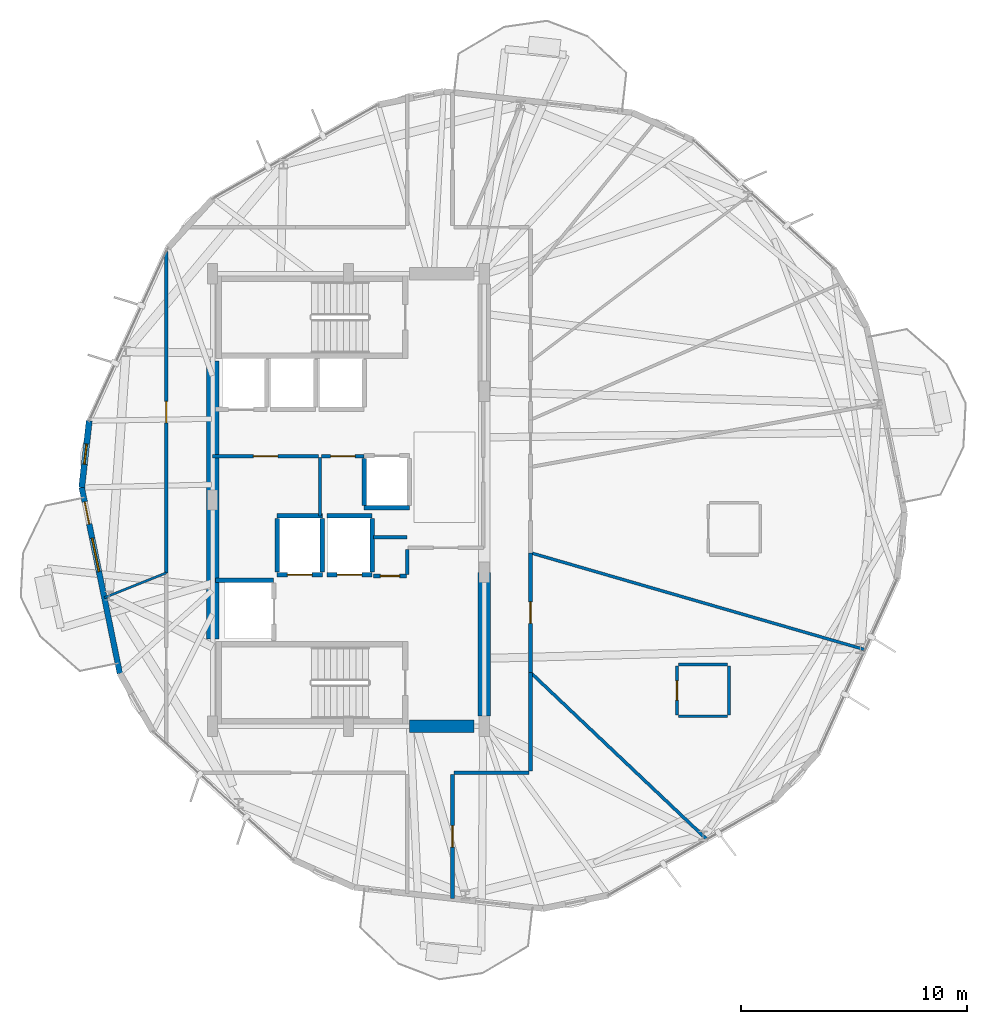
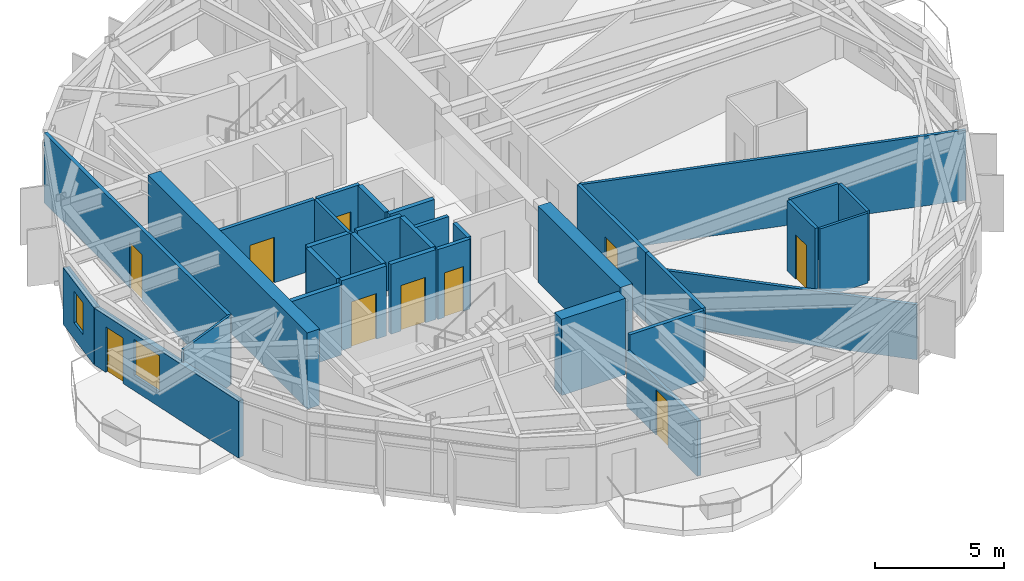
# One storey, part 17 of 22: 33 walls, 10 doors, 2 windows, 12 openings.
"""IFC4 building model written with IfcOpenShell, lengths in metres."""

from ifc_helpers import new_model, si_unit, direction, frame, frame_2d, origin, place, context, subcontext, project, spatial, rectangle, extrude, material, layer, layer_set, type_object, element, fill, save


model = new_model("IFC4")

# Units and contexts
model_context = context("Model", 3, precision=1e-05, world=origin(), true_north=direction((0.0, 1.0)))
body_context = subcontext(model_context, "Body", "Model", "MODEL_VIEW")
ifc_project = project(units=[si_unit("LENGTHUNIT", "METRE"), si_unit("AREAUNIT", "SQUARE_METRE"), si_unit("VOLUMEUNIT", "CUBIC_METRE"), si_unit("PLANEANGLEUNIT", "RADIAN"), si_unit("MASSUNIT", "GRAM", prefix="KILO")], contexts=[model_context])

# Site, building, storey
site_placement = place(None, origin())
site = spatial("IfcSite", under=ifc_project, at=site_placement, CompositionType="ELEMENT")
building_placement = place(site_placement, origin())
building = spatial("IfcBuilding", under=site, at=building_placement, Name="Soratama Intermodal Tower", CompositionType="ELEMENT")
storey_placement = place(building_placement, frame((0.0, 0.0, 142.60009765625)))
storey = spatial("IfcBuildingStorey", under=building, at=storey_placement, Name="L34", CompositionType="ELEMENT", Elevation=142.60009765625)

# Wall, openings, door, window
ifc_material_1 = material(Name="Concrete f'c 42 MPa", Category="concrete")
ifc_layer_1 = layer(ifc_material_1, 0.25)
ifc_layer_set_1 = layer_set([ifc_layer_1], Name="Concrete f'c 42 MPa")
wall_type_1 = type_object("IfcWallType", Name="EW-BAL-250", PredefinedType="SOLIDWALL", material=ifc_layer_set_1)
wall_1_placement = place(storey_placement, frame((26.818115234375, 25.55322265625, 0.0), z_axis=(0.0, 0.0, 1.0), x_axis=(0.200734189033, -0.979645744825, 0.0)))
wall_1 = element("IfcWall", 1, at=wall_1_placement, inside=storey, type_object=wall_type_1, Name="L34 Terrace Wall F05", PredefinedType="SOLIDWALL", context=body_context, shape_type="SweptSolid", body=[
    extrude(rectangle(XDim=8.383544921875, YDim=0.25, at=frame_2d((4.19189453125, 0.0))), origin(), (0.0, 0.0, 1.0), 2.678955078125),
])
opening_1_placement = place(wall_1_placement, frame((0.64990234375, 0.0, 0.0)))
opening_1 = element("IfcOpeningElement", 2, at=opening_1_placement, cuts=wall_1, Name="Opening ED-2", PredefinedType="OPENING", context=body_context, shape_type="SweptSolid", body=[
    extrude(rectangle(XDim=1.0, YDim=2.14990234375, at=frame_2d((0.5, 1.074951171875))), frame((0.0, 0.135009765625, 0.0), z_axis=(0.0, -1.0, 0.0), x_axis=(1.0, 0.0, 0.0)), (0.0, 0.0, 1.0), 0.27001953125),
])
opening_2_placement = place(wall_1_placement, frame((2.2900390625, 0.0, 0.719970703125)))
opening_2 = element("IfcOpeningElement", 3, at=opening_2_placement, cuts=wall_1, Name="Opening WN-1", PredefinedType="OPENING", context=body_context, shape_type="SweptSolid", body=[
    extrude(rectangle(XDim=1.5, YDim=1.699951171875, at=frame_2d((0.75, 0.85009765625))), frame((0.0, 0.135009765625, 0.0), z_axis=(0.0, -1.0, 0.0), x_axis=(1.0, 0.0, 0.0)), (0.0, 0.0, 1.0), 0.27001953125),
])
ifc_material_2 = material(Name="Double-glazed aluminium door", Category="aluminium")
door_type_1 = type_object("IfcDoorType", Name="DR-BAL-1000", OperationType="NOTDEFINED", PredefinedType="DOOR", material=ifc_material_2)
door_1_placement = place(opening_1_placement, origin())
door_1 = element("IfcDoor", 4, at=door_1_placement, inside=storey, type_object=door_type_1, Name="L34 Balcony Door F05", OperationType="SINGLE_SWING_LEFT", OverallHeight=2.14990234375, OverallWidth=1.0, PredefinedType="DOOR", context=body_context, shape_type="SweptSolid", body=[
    extrude(rectangle(XDim=1.0, YDim=2.14990234375, at=frame_2d((0.5, 1.074951171875))), frame((0.0, 0.02490234375, 0.0), z_axis=(0.0, -1.0, 0.0), x_axis=(1.0, 0.0, 0.0)), (0.0, 0.0, 1.0), 0.050048828125),
])
fill(opening_1, door_1)
ifc_material_3 = material(Name="Double-glazed aluminium window", Category="aluminium")
window_type_1 = type_object("IfcWindowType", Name="WN-FAC-1500", PartitioningType="SINGLE_PANEL", PredefinedType="WINDOW", material=ifc_material_3)
window_1_placement = place(opening_2_placement, origin())
window_1 = element("IfcWindow", 5, at=window_1_placement, inside=storey, type_object=window_type_1, Name="L34 Window B F05", OverallHeight=1.699951171875, OverallWidth=1.5, PartitioningType="SINGLE_PANEL", PredefinedType="WINDOW", context=body_context, shape_type="SweptSolid", body=[
    extrude(rectangle(XDim=1.5, YDim=1.699951171875, at=frame_2d((0.75, 0.85009765625))), frame((0.0, 0.030029296875, 0.0), z_axis=(0.0, -1.0, 0.0), x_axis=(1.0, 0.0, 0.0)), (0.0, 0.0, 1.0), 0.06005859375),
])
fill(opening_2, window_1)

# Wall, opening, window
ifc_material_4 = material(Name="Concrete f'c 42 MPa", Category="concrete")
ifc_layer_2 = layer(ifc_material_4, 0.27001953125)
ifc_layer_set_2 = layer_set([ifc_layer_2], Name="Concrete f'c 42 MPa")
wall_type_2 = type_object("IfcWallType", Name="EW-CRN-270", PredefinedType="SOLIDWALL", material=ifc_layer_set_2)
wall_2_placement = place(storey_placement, frame((27.14990234375, 28.501220703125, 0.0), z_axis=(0.0, 0.0, 1.0), x_axis=(-0.111840485986, -0.993726172391, 0.0)))
wall_2 = element("IfcWall", 6, at=wall_2_placement, inside=storey, type_object=wall_type_2, Name="L34 Corner Closure Wall 04", PredefinedType="SOLIDWALL", context=body_context, shape_type="SweptSolid", body=[
    extrude(rectangle(XDim=2.966552734375, YDim=0.27001953125, at=frame_2d((1.4833984375, 0.0))), origin(), (0.0, 0.0, 1.0), 2.678955078125),
])
opening_3_placement = place(wall_2_placement, frame((1.033203125, 0.0, 0.75)))
opening_3 = element("IfcOpeningElement", 7, at=opening_3_placement, cuts=wall_2, Name="Opening WN-6", PredefinedType="OPENING", context=body_context, shape_type="SweptSolid", body=[
    extrude(rectangle(XDim=0.89990234375, YDim=1.5, at=frame_2d((0.449951171875, 0.75))), frame((0.0, 0.14501953125, 0.0), z_axis=(0.0, -1.0, 0.0), x_axis=(1.0, 0.0, 0.0)), (0.0, 0.0, 1.0), 0.2900390625),
])
ifc_material_5 = material(Name="Double-glazed aluminium window", Category="aluminium")
window_type_2 = type_object("IfcWindowType", Name="WN-FAC-900", PartitioningType="SINGLE_PANEL", PredefinedType="WINDOW", material=ifc_material_5)
window_2_placement = place(opening_3_placement, origin())
window_2 = element("IfcWindow", 8, at=window_2_placement, inside=storey, type_object=window_type_2, Name="L34 Corner Window 04", OverallHeight=1.5, OverallWidth=0.89990234375, PartitioningType="SINGLE_PANEL", PredefinedType="WINDOW", context=body_context, shape_type="SweptSolid", body=[
    extrude(rectangle(XDim=0.89990234375, YDim=1.5, at=frame_2d((0.449951171875, 0.75))), frame((0.0, 0.030029296875, 0.0), z_axis=(0.0, -1.0, 0.0), x_axis=(1.0, 0.0, 0.0)), (0.0, 0.0, 1.0), 0.06005859375),
])
fill(opening_3, window_2)

# Wall, opening, door
ifc_material_6 = material(Name="Fire-rated gypsum stud partition", Category="concrete")
ifc_layer_3 = layer(ifc_material_6, 0.159912109375)
ifc_layer_set_3 = layer_set([ifc_layer_3], Name="Fire-rated gypsum stud partition")
wall_type_3 = type_object("IfcWallType", Name="IW-PART-R160", PredefinedType="PARTITIONING", material=ifc_layer_set_3)
wall_3_placement = place(storey_placement, frame((30.550048828125, 21.778076171875, 0.0), z_axis=(0.0, 0.0, 1.0), x_axis=(0.0, 1.0, 0.0)))
wall_3 = element("IfcWall", 9, at=wall_3_placement, inside=storey, type_object=wall_type_3, Name="L34 Partition W-L34-TP004", PredefinedType="PARTITIONING", context=body_context, shape_type="SweptSolid", body=[
    extrude(rectangle(XDim=14.2119140625, YDim=0.159912109375, at=frame_2d((7.10595703125, 0.0))), origin(), (0.0, 0.0, 1.0), 3.2998046875),
])
opening_4_placement = place(wall_3_placement, frame((6.631103515625, 0.0, 0.0)))
opening_4 = element("IfcOpeningElement", 10, at=opening_4_placement, cuts=wall_3, Name="Opening ID-3", PredefinedType="OPENING", context=body_context, shape_type="SweptSolid", body=[
    extrude(rectangle(XDim=0.949951171875, YDim=2.14990234375, at=frame_2d((0.47509765625, 1.074951171875))), frame((0.0, 0.08984375, 0.0), z_axis=(0.0, -1.0, 0.0), x_axis=(1.0, 0.0, 0.0)), (0.0, 0.0, 1.0), 0.179931640625),
])
ifc_material_7 = material(Name="Solid hardwood acoustic door", Category="wood")
door_type_2 = type_object("IfcDoorType", Name="DR-ROOM-950", OperationType="NOTDEFINED", PredefinedType="DOOR", material=ifc_material_7)
door_2_placement = place(opening_4_placement, origin())
door_2 = element("IfcDoor", 11, at=door_2_placement, inside=storey, type_object=door_type_2, Name="L34 Door D-L34-TP001", OperationType="SINGLE_SWING_RIGHT", OverallHeight=2.14990234375, OverallWidth=0.949951171875, PredefinedType="DOOR", context=body_context, shape_type="SweptSolid", body=[
    extrude(rectangle(XDim=0.949951171875, YDim=2.14990234375, at=frame_2d((0.47509765625, 1.074951171875))), frame((0.0, 0.02490234375, 0.0), z_axis=(0.0, -1.0, 0.0), x_axis=(1.0, 0.0, 0.0)), (0.0, 0.0, 1.0), 0.050048828125),
])
fill(opening_4, door_2)

wall_4_placement = place(storey_placement, frame((43.199951171875, 12.8798828125, 0.0), z_axis=(0.0, 0.0, 1.0), x_axis=(0.0, -1.0, 0.0)))
wall_4 = element("IfcWall", 12, at=wall_4_placement, inside=storey, type_object=wall_type_3, Name="L34 Partition W-L34-TP014", PredefinedType="PARTITIONING", context=body_context, shape_type="SweptSolid", body=[
    extrude(rectangle(XDim=5.489990234375, YDim=0.159912109375, at=frame_2d((2.7451171875, 0.0))), origin(), (0.0, 0.0, 1.0), 2.594970703125),
])
opening_5_placement = place(wall_4_placement, frame((2.27001953125, 0.0, 0.0)))
opening_5 = element("IfcOpeningElement", 13, at=opening_5_placement, cuts=wall_4, Name="Opening ID-3", PredefinedType="OPENING", context=body_context, shape_type="SweptSolid", body=[
    extrude(rectangle(XDim=0.949951171875, YDim=2.14990234375, at=frame_2d((0.47509765625, 1.074951171875))), frame((0.0, 0.08984375, 0.0), z_axis=(0.0, -1.0, 0.0), x_axis=(1.0, 0.0, 0.0)), (0.0, 0.0, 1.0), 0.179931640625),
])
door_3_placement = place(opening_5_placement, origin())
door_3 = element("IfcDoor", 14, at=door_3_placement, inside=storey, type_object=door_type_2, Name="L34 Door D-L34-TP007", OperationType="SINGLE_SWING_RIGHT", OverallHeight=2.14990234375, OverallWidth=0.949951171875, PredefinedType="DOOR", context=body_context, shape_type="SweptSolid", body=[
    extrude(rectangle(XDim=0.949951171875, YDim=2.14990234375, at=frame_2d((0.47509765625, 1.074951171875))), frame((0.0, 0.02490234375, 0.0), z_axis=(0.0, -1.0, 0.0), x_axis=(1.0, 0.0, 0.0)), (0.0, 0.0, 1.0), 0.050048828125),
])
fill(opening_5, door_3)

wall_5_placement = place(storey_placement, frame((46.64990234375, 22.66796875, 0.0), z_axis=(0.0, 0.0, 1.0), x_axis=(0.0, -1.0, 0.0)))
wall_5 = element("IfcWall", 15, at=wall_5_placement, inside=storey, type_object=wall_type_3, Name="L34 Partition W-L34-TP015", PredefinedType="PARTITIONING", context=body_context, shape_type="SweptSolid", body=[
    extrude(rectangle(XDim=5.291015625, YDim=0.159912109375, at=frame_2d((2.6455078125, 0.0))), origin(), (0.0, 0.0, 1.0), 3.2998046875),
])
opening_6_placement = place(wall_5_placement, frame((2.1708984375, 0.0, 0.0)))
opening_6 = element("IfcOpeningElement", 16, at=opening_6_placement, cuts=wall_5, Name="Opening ID-3", PredefinedType="OPENING", context=body_context, shape_type="SweptSolid", body=[
    extrude(rectangle(XDim=0.949951171875, YDim=2.14990234375, at=frame_2d((0.47509765625, 1.074951171875))), frame((0.0, 0.08984375, 0.0), z_axis=(0.0, -1.0, 0.0), x_axis=(1.0, 0.0, 0.0)), (0.0, 0.0, 1.0), 0.179931640625),
])
door_4_placement = place(opening_6_placement, origin())
door_4 = element("IfcDoor", 17, at=door_4_placement, inside=storey, type_object=door_type_2, Name="L34 Door D-L34-TP008", OperationType="SINGLE_SWING_LEFT", OverallHeight=2.14990234375, OverallWidth=0.949951171875, PredefinedType="DOOR", context=body_context, shape_type="SweptSolid", body=[
    extrude(rectangle(XDim=0.949951171875, YDim=2.14990234375, at=frame_2d((0.47509765625, 1.074951171875))), frame((0.0, 0.02490234375, 0.0), z_axis=(0.0, -1.0, 0.0), x_axis=(1.0, 0.0, 0.0)), (0.0, 0.0, 1.0), 0.050048828125),
])
fill(opening_6, door_4)

wall_6_placement = place(storey_placement, frame((37.2900390625, 26.93994140625, 0.0), z_axis=(0.0, 0.0, 1.0), x_axis=(-1.0, 0.0, 0.0)))
wall_6 = element("IfcWall", 18, at=wall_6_placement, inside=storey, type_object=wall_type_3, Name="L34 Partition W-L34-TP019", PredefinedType="PARTITIONING", context=body_context, shape_type="SweptSolid", body=[
    extrude(rectangle(XDim=4.68994140625, YDim=0.159912109375, at=frame_2d((2.344970703125, 0.0))), origin(), (0.0, 0.0, 1.0), 3.2998046875),
])
opening_7_placement = place(wall_6_placement, frame((1.804931640625, 0.0, 0.0)))
opening_7 = element("IfcOpeningElement", 19, at=opening_7_placement, cuts=wall_6, Name="Opening ID-1", PredefinedType="OPENING", context=body_context, shape_type="SweptSolid", body=[
    extrude(rectangle(XDim=1.080078125, YDim=2.14990234375, at=frame_2d((0.5400390625, 1.074951171875))), frame((0.0, 0.08984375, 0.0), z_axis=(0.0, -1.0, 0.0), x_axis=(1.0, 0.0, 0.0)), (0.0, 0.0, 1.0), 0.179931640625),
])
ifc_material_8 = material(Name="Solid hardwood acoustic door", Category="wood")
door_type_3 = type_object("IfcDoorType", Name="DR-LOB-FD60", OperationType="NOTDEFINED", PredefinedType="DOOR", material=ifc_material_8)
door_5_placement = place(opening_7_placement, origin())
door_5 = element("IfcDoor", 20, at=door_5_placement, inside=storey, type_object=door_type_3, Name="L34 Door D-L34-TP009", OperationType="SINGLE_SWING_RIGHT", OverallHeight=2.14990234375, OverallWidth=1.080078125, PredefinedType="DOOR", context=body_context, shape_type="SweptSolid", body=[
    extrude(rectangle(XDim=1.080078125, YDim=2.14990234375, at=frame_2d((0.5400390625, 1.074951171875))), frame((0.0, 0.02490234375, 0.0), z_axis=(0.0, -1.0, 0.0), x_axis=(1.0, 0.0, 0.0)), (0.0, 0.0, 1.0), 0.050048828125),
])
fill(opening_7, door_5)

# Walls
wall_7_placement = place(storey_placement, frame((46.64990234375, 17.376953125, 0.0), z_axis=(0.0, 0.0, 1.0), x_axis=(0.0, -1.0, 0.0)))
element("IfcWall", 21, at=wall_7_placement, inside=storey, type_object=wall_type_3, Name="L34 Partition W-L34-TP020", PredefinedType="PARTITIONING", context=body_context, shape_type="SweptSolid", body=[
    extrude(rectangle(XDim=4.35693359375, YDim=0.159912109375, at=frame_2d((2.178466796875, 0.0))), origin(), (0.0, 0.0, 1.0), 3.2998046875),
])
wall_8_placement = place(storey_placement, frame((46.580078125, 12.949951171875, 0.0), z_axis=(0.0, 0.0, 1.0), x_axis=(-1.0, 0.0, 0.0)))
element("IfcWall", 22, at=wall_8_placement, inside=storey, type_object=wall_type_3, Name="L34 Partition W-L34-TP024", PredefinedType="PARTITIONING", context=body_context, shape_type="SweptSolid", body=[
    extrude(rectangle(XDim=3.31005859375, YDim=0.159912109375, at=frame_2d((1.655029296875, 0.0))), origin(), (0.0, 0.0, 1.0), 3.2998046875),
])

# Wall, opening, door
wall_9_placement = place(storey_placement, frame((39.300048828125, 26.93994140625, 0.0), z_axis=(0.0, 0.0, 1.0), x_axis=(-1.0, 0.0, 0.0)))
wall_9 = element("IfcWall", 23, at=wall_9_placement, inside=storey, type_object=wall_type_3, Name="L34 Partition W-L34-TP039", PredefinedType="PARTITIONING", context=body_context, shape_type="SweptSolid", body=[
    extrude(rectangle(XDim=1.89013671875, YDim=0.159912109375, at=frame_2d((0.945068359375, 0.0))), origin(), (0.0, 0.0, 1.0), 3.2998046875),
])
opening_8_placement = place(wall_9_placement, frame((0.405029296875, 0.0, 0.0)))
opening_8 = element("IfcOpeningElement", 24, at=opening_8_placement, cuts=wall_9, Name="Opening ID-1", PredefinedType="OPENING", context=body_context, shape_type="SweptSolid", body=[
    extrude(rectangle(XDim=1.080078125, YDim=2.14990234375, at=frame_2d((0.5400390625, 1.074951171875))), frame((0.0, 0.08984375, 0.0), z_axis=(0.0, -1.0, 0.0), x_axis=(1.0, 0.0, 0.0)), (0.0, 0.0, 1.0), 0.179931640625),
])
door_6_placement = place(opening_8_placement, origin())
door_6 = element("IfcDoor", 25, at=door_6_placement, inside=storey, type_object=door_type_3, Name="L34 Door D-L34-TP018", OperationType="SINGLE_SWING_LEFT", OverallHeight=2.14990234375, OverallWidth=1.080078125, PredefinedType="DOOR", context=body_context, shape_type="SweptSolid", body=[
    extrude(rectangle(XDim=1.080078125, YDim=2.14990234375, at=frame_2d((0.5400390625, 1.074951171875))), frame((0.0, 0.02490234375, 0.0), z_axis=(0.0, -1.0, 0.0), x_axis=(1.0, 0.0, 0.0)), (0.0, 0.0, 1.0), 0.050048828125),
])
fill(opening_8, door_6)

# Wall
wall_10_placement = place(storey_placement, frame((41.199951171875, 23.360107421875, 0.0), z_axis=(0.0, 0.0, 1.0), x_axis=(-1.0, 0.0, 0.0)))
element("IfcWall", 26, at=wall_10_placement, inside=storey, type_object=wall_type_3, Name="L34 Partition W-L34-TP043", PredefinedType="PARTITIONING", context=body_context, shape_type="SweptSolid", body=[
    extrude(rectangle(XDim=1.47998046875, YDim=0.159912109375, at=frame_2d((0.739990234375, 0.0))), origin(), (0.0, 0.0, 1.0), 3.2998046875),
])

# Wall, opening, door
ifc_material_9 = material(Name="Fire-rated gypsum stud partition", Category="concrete")
ifc_layer_4 = layer(ifc_material_9, 0.169921875)
ifc_layer_set_4 = layer_set([ifc_layer_4], Name="Fire-rated gypsum stud partition")
wall_type_4 = type_object("IfcWallType", Name="IW-PART-R170", PredefinedType="PARTITIONING", material=ifc_layer_set_4)
wall_11_placement = place(storey_placement, frame((39.719970703125, 21.639892578125, 0.0), z_axis=(0.0, 0.0, 1.0), x_axis=(1.0, 0.0, 0.0)))
wall_11 = element("IfcWall", 27, at=wall_11_placement, inside=storey, type_object=wall_type_4, Name="L34 Partition W-L34-TP040", PredefinedType="PARTITIONING", context=body_context, shape_type="SweptSolid", body=[
    extrude(rectangle(XDim=1.43994140625, YDim=0.169921875, at=frame_2d((0.719970703125, 0.0))), origin(), (0.0, 0.0, 1.0), 3.2998046875),
])
opening_9_placement = place(wall_11_placement, frame((0.294921875, 0.0, 0.0)))
opening_9 = element("IfcOpeningElement", 28, at=opening_9_placement, cuts=wall_11, Name="Opening ID-4", PredefinedType="OPENING", context=body_context, shape_type="SweptSolid", body=[
    extrude(rectangle(XDim=0.85009765625, YDim=2.10009765625, at=frame_2d((0.425048828125, 1.050048828125))), frame((0.0, 0.094970703125, 0.0), z_axis=(0.0, -1.0, 0.0), x_axis=(1.0, 0.0, 0.0)), (0.0, 0.0, 1.0), 0.18994140625),
])
ifc_material_10 = material(Name="Solid hardwood acoustic door", Category="wood")
door_type_4 = type_object("IfcDoorType", Name="DR-BATH-850", OperationType="NOTDEFINED", PredefinedType="DOOR", material=ifc_material_10)
door_7_placement = place(opening_9_placement, origin())
door_7 = element("IfcDoor", 29, at=door_7_placement, inside=storey, type_object=door_type_4, Name="L34 Door D-L34-TP019", OperationType="SINGLE_SWING_RIGHT", OverallHeight=2.10009765625, OverallWidth=0.85009765625, PredefinedType="DOOR", context=body_context, shape_type="SweptSolid", body=[
    extrude(rectangle(XDim=0.85009765625, YDim=2.10009765625, at=frame_2d((0.425048828125, 1.050048828125))), frame((0.0, 0.02490234375, 0.0), z_axis=(0.0, -1.0, 0.0), x_axis=(1.0, 0.0, 0.0)), (0.0, 0.0, 1.0), 0.050048828125),
])
fill(opening_9, door_7)

# Walls
wall_12_placement = place(storey_placement, frame((41.199951171875, 21.699951171875, 0.0), z_axis=(0.0, 0.0, 1.0), x_axis=(0.0, 1.0, 0.0)))
element("IfcWall", 30, at=wall_12_placement, inside=storey, type_object=wall_type_4, Name="L34 Partition W-L34-TP041", PredefinedType="PARTITIONING", context=body_context, shape_type="SweptSolid", body=[
    extrude(rectangle(XDim=1.1201171875, YDim=0.169921875, at=frame_2d((0.56005859375, 0.0))), origin(), (0.0, 0.0, 1.0), 3.2998046875),
])
ifc_material_11 = material(Name="Fire-rated gypsum stud partition", Category="concrete")
ifc_layer_5 = layer(ifc_material_11, 0.10009765625)
ifc_layer_set_5 = layer_set([ifc_layer_5], Name="Fire-rated gypsum stud partition")
wall_type_5 = type_object("IfcWallType", Name="IW-PART-S100", PredefinedType="PARTITIONING", material=ifc_layer_set_5)
wall_13_placement = place(storey_placement, frame((30.550048828125, 21.778076171875, 0.0), z_axis=(0.0, 0.0, 1.0), x_axis=(-0.928551008746, -0.371204827766, 0.0)))
element("IfcWall", 31, at=wall_13_placement, inside=storey, type_object=wall_type_5, Name="L34 Partition W-L34-TP025", PredefinedType="PARTITIONING", context=body_context, shape_type="SweptSolid", body=[
    extrude(rectangle(XDim=2.944580078125, YDim=0.10009765625, at=frame_2d((1.47216796875, 0.0))), origin(), (0.0, 0.0, 1.0), 3.2998046875),
])
ifc_material_12 = material(Name="Fire-rated gypsum stud partition", Category="concrete")
ifc_layer_6 = layer(ifc_material_12, 0.110107421875)
ifc_layer_set_6 = layer_set([ifc_layer_6], Name="Fire-rated gypsum stud partition")
wall_type_6 = type_object("IfcWallType", Name="IW-PART-S110", PredefinedType="PARTITIONING", material=ifc_layer_set_6)
wall_14_placement = place(storey_placement, frame((53.19189453125, 15.43505859375, 0.0), z_axis=(0.0, 0.0, 1.0), x_axis=(1.0, 0.0, 0.0)))
element("IfcWall", 32, at=wall_14_placement, inside=storey, type_object=wall_type_6, Name="L34 Partition W-L34-TP034", PredefinedType="PARTITIONING", context=body_context, shape_type="SweptSolid", body=[
    extrude(rectangle(XDim=2.16015625, YDim=0.110107421875, at=frame_2d((1.080078125, 0.0))), origin(), (0.0, 0.0, 1.0), 3.2998046875),
])
ifc_material_13 = material(Name="Fire-rated gypsum stud partition", Category="concrete")
ifc_layer_7 = layer(ifc_material_13, 0.1201171875)
ifc_layer_set_7 = layer_set([ifc_layer_7], Name="Fire-rated gypsum stud partition")
wall_type_7 = type_object("IfcWallType", Name="IW-PART-S120", PredefinedType="PARTITIONING", material=ifc_layer_set_7)
wall_15_placement = place(storey_placement, frame((55.35205078125, 17.735107421875, 0.0), z_axis=(0.0, 0.0, 1.0), x_axis=(-1.0, 0.0, 0.0)))
element("IfcWall", 33, at=wall_15_placement, inside=storey, type_object=wall_type_7, Name="L34 Partition W-L34-TP033", PredefinedType="PARTITIONING", context=body_context, shape_type="SweptSolid", body=[
    extrude(rectangle(XDim=2.16015625, YDim=0.1201171875, at=frame_2d((1.080078125, 0.0))), origin(), (0.0, 0.0, 1.0), 3.2998046875),
])
ifc_material_14 = material(Name="Fire-rated gypsum stud partition", Category="concrete")
ifc_layer_8 = layer(ifc_material_14, 0.1298828125)
ifc_layer_set_8 = layer_set([ifc_layer_8], Name="Fire-rated gypsum stud partition")
wall_type_8 = type_object("IfcWallType", Name="IW-PART-S130", PredefinedType="PARTITIONING", material=ifc_layer_set_8)
wall_16_placement = place(storey_placement, frame((46.64990234375, 22.66796875, 0.0), z_axis=(0.0, 0.0, 1.0), x_axis=(0.9604993623, -0.278282185957, 0.0)))
element("IfcWall", 34, at=wall_16_placement, inside=storey, type_object=wall_type_8, Name="L34 Partition W-L34-TP002", PredefinedType="PARTITIONING", context=body_context, shape_type="SweptSolid", body=[
    extrude(rectangle(XDim=15.394287109375, YDim=0.1298828125, at=frame_2d((7.697265625, 0.0))), origin(), (0.0, 0.0, 1.0), 3.2998046875),
])
wall_17_placement = place(storey_placement, frame((37.35009765625, 26.8798828125, 0.0), z_axis=(0.0, 0.0, 1.0), x_axis=(0.0, -1.0, 0.0)))
element("IfcWall", 35, at=wall_17_placement, inside=storey, type_object=wall_type_8, Name="L34 Partition W-L34-TP027", PredefinedType="PARTITIONING", context=body_context, shape_type="SweptSolid", body=[
    extrude(rectangle(XDim=2.579833984375, YDim=0.1298828125, at=frame_2d((1.2900390625, 0.0))), origin(), (0.0, 0.0, 1.0), 3.2998046875),
])
wall_18_placement = place(storey_placement, frame((55.422119140625, 15.5048828125, 0.0), z_axis=(0.0, 0.0, 1.0), x_axis=(0.0, 1.0, 0.0)))
element("IfcWall", 36, at=wall_18_placement, inside=storey, type_object=wall_type_8, Name="L34 Partition W-L34-TP032", PredefinedType="PARTITIONING", context=body_context, shape_type="SweptSolid", body=[
    extrude(rectangle(XDim=2.16015625, YDim=0.1298828125, at=frame_2d((1.080078125, 0.0))), origin(), (0.0, 0.0, 1.0), 3.2998046875),
])
ifc_material_15 = material(Name="Fire-rated gypsum stud partition", Category="concrete")
ifc_layer_9 = layer(ifc_material_15, 0.139892578125)
ifc_layer_set_9 = layer_set([ifc_layer_9], Name="Fire-rated gypsum stud partition")
wall_type_9 = type_object("IfcWallType", Name="IW-PART-S140", PredefinedType="PARTITIONING", material=ifc_layer_set_9)
wall_19_placement = place(storey_placement, frame((46.64990234375, 17.376953125, 0.0), z_axis=(0.0, 0.0, 1.0), x_axis=(0.726191917905, -0.687492035132, 0.0)))
element("IfcWall", 37, at=wall_19_placement, inside=storey, type_object=wall_type_9, Name="L34 Partition W-L34-TP006", PredefinedType="PARTITIONING", context=body_context, shape_type="SweptSolid", body=[
    extrude(rectangle(XDim=10.724609375, YDim=0.139892578125, at=frame_2d((5.3623046875, 0.0))), origin(), (0.0, 0.0, 1.0), 2.594970703125),
])

# Wall, opening, door
wall_20_placement = place(storey_placement, frame((53.1220703125, 17.6650390625, 0.0), z_axis=(0.0, 0.0, 1.0), x_axis=(0.0, -1.0, 0.0)))
wall_20 = element("IfcWall", 38, at=wall_20_placement, inside=storey, type_object=wall_type_9, Name="L34 Partition W-L34-TP031", PredefinedType="PARTITIONING", context=body_context, shape_type="SweptSolid", body=[
    extrude(rectangle(XDim=2.16015625, YDim=0.139892578125, at=frame_2d((1.080078125, 0.0))), origin(), (0.0, 0.0, 1.0), 3.2998046875),
])
opening_10_placement = place(wall_20_placement, frame((0.655029296875, 0.0, 0.0)))
opening_10 = element("IfcOpeningElement", 39, at=opening_10_placement, cuts=wall_20, Name="Opening ID-4", PredefinedType="OPENING", context=body_context, shape_type="SweptSolid", body=[
    extrude(rectangle(XDim=0.85009765625, YDim=2.10009765625, at=frame_2d((0.425048828125, 1.050048828125))), frame((0.0, 0.079833984375, 0.0), z_axis=(0.0, -1.0, 0.0), x_axis=(1.0, 0.0, 0.0)), (0.0, 0.0, 1.0), 0.159912109375),
])
door_8_placement = place(opening_10_placement, origin())
door_8 = element("IfcDoor", 40, at=door_8_placement, inside=storey, type_object=door_type_4, Name="L34 Door D-L34-TP016", OperationType="SINGLE_SWING_LEFT", OverallHeight=2.10009765625, OverallWidth=0.85009765625, PredefinedType="DOOR", context=body_context, shape_type="SweptSolid", body=[
    extrude(rectangle(XDim=0.85009765625, YDim=2.10009765625, at=frame_2d((0.425048828125, 1.050048828125))), frame((0.0, 0.02490234375, 0.0), z_axis=(0.0, -1.0, 0.0), x_axis=(1.0, 0.0, 0.0)), (0.0, 0.0, 1.0), 0.050048828125),
])
fill(opening_10, door_8)

ifc_material_16 = material(Name="Concrete f'c 42 MPa", Category="concrete")
ifc_layer_10 = layer(ifc_material_16, 0.199951171875)
ifc_layer_set_10 = layer_set([ifc_layer_10], Name="Concrete f'c 42 MPa")
wall_type_10 = type_object("IfcWallType", Name="IW-SHAFT-200", PredefinedType="SOLIDWALL", material=ifc_layer_set_10)
wall_21_placement = place(storey_placement, frame((35.449951171875, 21.699951171875, 0.0), z_axis=(0.0, 0.0, 1.0), x_axis=(1.0, 0.0, 0.0)))
wall_21 = element("IfcWall", 41, at=wall_21_placement, inside=storey, type_object=wall_type_10, Name="L34 FFL-1 Hoistway Wall S", PredefinedType="SOLIDWALL", context=body_context, shape_type="SweptSolid", body=[
    extrude(rectangle(XDim=2.0, YDim=0.199951171875, at=frame_2d((1.0, 0.0))), origin(), (0.0, 0.0, 1.0), 3.2998046875),
])
opening_11_placement = place(wall_21_placement, frame((0.449951171875, 0.0, 0.0)))
opening_11 = element("IfcOpeningElement", 42, at=opening_11_placement, cuts=wall_21, Name="Opening LD-1", PredefinedType="OPENING", context=body_context, shape_type="SweptSolid", body=[
    extrude(rectangle(XDim=1.10009765625, YDim=2.14990234375, at=frame_2d((0.550048828125, 1.074951171875))), frame((0.0, 0.10986328125, 0.0), z_axis=(0.0, -1.0, 0.0), x_axis=(1.0, 0.0, 0.0)), (0.0, 0.0, 1.0), 0.219970703125),
])
ifc_material_17 = material(Name="Steel fire door", Category="steel")
door_type_5 = type_object("IfcDoorType", Name="DR-LIFT-SLIDE", OperationType="NOTDEFINED", PredefinedType="DOOR", material=ifc_material_17)
door_9_placement = place(opening_11_placement, origin())
door_9 = element("IfcDoor", 43, at=door_9_placement, inside=storey, type_object=door_type_5, Name="L34 FFL-1 Sliding Landing Door", OperationType="SLIDING_TO_LEFT", OverallHeight=2.14990234375, OverallWidth=1.10009765625, PredefinedType="DOOR", context=body_context, shape_type="SweptSolid", body=[
    extrude(rectangle(XDim=1.10009765625, YDim=2.14990234375, at=frame_2d((0.550048828125, 1.074951171875))), frame((0.0, 0.02490234375, 0.0), z_axis=(0.0, -1.0, 0.0), x_axis=(1.0, 0.0, 0.0)), (0.0, 0.0, 1.0), 0.050048828125),
])
fill(opening_11, door_9)

# Walls
wall_22_placement = place(storey_placement, frame((35.449951171875, 24.300048828125, 0.0), z_axis=(0.0, 0.0, 1.0), x_axis=(1.0, 0.0, 0.0)))
element("IfcWall", 44, at=wall_22_placement, inside=storey, type_object=wall_type_10, Name="L34 FFL-1 Hoistway Wall N", PredefinedType="SOLIDWALL", context=body_context, shape_type="SweptSolid", body=[
    extrude(rectangle(XDim=2.0, YDim=0.199951171875, at=frame_2d((1.0, 0.0))), origin(), (0.0, 0.0, 1.0), 3.2998046875),
])
for number, where, z_axis, x_axis, name in (
    (45, (35.449951171875, 21.81005859375, 0.0), (0.0, 0.0, 1.0), (0.0, 1.0, 0.0), "L34 FFL-1 Hoistway Wall W"),
    (46, (37.449951171875, 21.81005859375, 0.0), (0.0, 0.0, 1.0), (0.0, 1.0, 0.0), "L34 FFL-1 Hoistway Wall E"),
):
    element("IfcWall", number, at=place(storey_placement, frame(where, z_axis=z_axis, x_axis=x_axis)), inside=storey, type_object=wall_type_10, Name=name, PredefinedType="SOLIDWALL", context=body_context, shape_type="SweptSolid", body=[
        extrude(rectangle(XDim=2.3798828125, YDim=0.199951171875, at=frame_2d((1.18994140625, 0.0))), origin(), (0.0, 0.0, 1.0), 3.2998046875),
    ])

# Wall, opening, door
wall_23_placement = place(storey_placement, frame((37.64990234375, 21.699951171875, 0.0), z_axis=(0.0, 0.0, 1.0), x_axis=(1.0, 0.0, 0.0)))
wall_23 = element("IfcWall", 47, at=wall_23_placement, inside=storey, type_object=wall_type_10, Name="L34 FFL-2 Hoistway Wall S", PredefinedType="SOLIDWALL", context=body_context, shape_type="SweptSolid", body=[
    extrude(rectangle(XDim=2.0, YDim=0.199951171875, at=frame_2d((1.0, 0.0))), origin(), (0.0, 0.0, 1.0), 3.2998046875),
])
opening_12_placement = place(wall_23_placement, frame((0.449951171875, 0.0, 0.0)))
opening_12 = element("IfcOpeningElement", 48, at=opening_12_placement, cuts=wall_23, Name="Opening LD-1", PredefinedType="OPENING", context=body_context, shape_type="SweptSolid", body=[
    extrude(rectangle(XDim=1.10009765625, YDim=2.14990234375, at=frame_2d((0.550048828125, 1.074951171875))), frame((0.0, 0.10986328125, 0.0), z_axis=(0.0, -1.0, 0.0), x_axis=(1.0, 0.0, 0.0)), (0.0, 0.0, 1.0), 0.219970703125),
])
door_10_placement = place(opening_12_placement, origin())
door_10 = element("IfcDoor", 49, at=door_10_placement, inside=storey, type_object=door_type_5, Name="L34 FFL-2 Sliding Landing Door", OperationType="SLIDING_TO_LEFT", OverallHeight=2.14990234375, OverallWidth=1.10009765625, PredefinedType="DOOR", context=body_context, shape_type="SweptSolid", body=[
    extrude(rectangle(XDim=1.10009765625, YDim=2.14990234375, at=frame_2d((0.550048828125, 1.074951171875))), frame((0.0, 0.02490234375, 0.0), z_axis=(0.0, -1.0, 0.0), x_axis=(1.0, 0.0, 0.0)), (0.0, 0.0, 1.0), 0.050048828125),
])
fill(opening_12, door_10)

# Walls
wall_24_placement = place(storey_placement, frame((37.64990234375, 24.300048828125, 0.0), z_axis=(0.0, 0.0, 1.0), x_axis=(1.0, 0.0, 0.0)))
element("IfcWall", 50, at=wall_24_placement, inside=storey, type_object=wall_type_10, Name="L34 FFL-2 Hoistway Wall N", PredefinedType="SOLIDWALL", context=body_context, shape_type="SweptSolid", body=[
    extrude(rectangle(XDim=2.0, YDim=0.199951171875, at=frame_2d((1.0, 0.0))), origin(), (0.0, 0.0, 1.0), 3.2998046875),
])
wall_25_placement = place(storey_placement, frame((39.64990234375, 21.81005859375, 0.0), z_axis=(0.0, 0.0, 1.0), x_axis=(0.0, 1.0, 0.0)))
element("IfcWall", 51, at=wall_25_placement, inside=storey, type_object=wall_type_10, Name="L34 FFL-2 Hoistway Wall E", PredefinedType="SOLIDWALL", context=body_context, shape_type="SweptSolid", body=[
    extrude(rectangle(XDim=2.3798828125, YDim=0.199951171875, at=frame_2d((1.18994140625, 0.0))), origin(), (0.0, 0.0, 1.0), 3.2998046875),
])
wall_26_placement = place(storey_placement, frame((32.719970703125, 21.449951171875, 0.0), z_axis=(0.0, 0.0, 1.0), x_axis=(1.0, 0.0, 0.0)))
element("IfcWall", 52, at=wall_26_placement, inside=storey, type_object=wall_type_10, Name="L34 SVL-1 Hoistway Wall N", PredefinedType="SOLIDWALL", context=body_context, shape_type="SweptSolid", body=[
    extrude(rectangle(XDim=2.580078125, YDim=0.199951171875, at=frame_2d((1.2900390625, 0.0))), origin(), (0.0, 0.0, 1.0), 3.2998046875),
])
wall_27_placement = place(storey_placement, frame((39.300048828125, 24.64990234375, 0.0), z_axis=(0.0, 0.0, 1.0), x_axis=(1.0, 0.0, 0.0)))
element("IfcWall", 53, at=wall_27_placement, inside=storey, type_object=wall_type_10, Name="L34 PL-M1 Hoistway Wall S", PredefinedType="SOLIDWALL", context=body_context, shape_type="SweptSolid", body=[
    extrude(rectangle(XDim=2.0, YDim=0.199951171875, at=frame_2d((1.0, 0.0))), origin(), (0.0, 0.0, 1.0), 3.2998046875),
])
wall_28_placement = place(storey_placement, frame((39.300048828125, 24.760009765625, 0.0), z_axis=(0.0, 0.0, 1.0), x_axis=(0.0, 1.0, 0.0)))
element("IfcWall", 54, at=wall_28_placement, inside=storey, type_object=wall_type_10, Name="L34 PL-M1 Hoistway Wall W", PredefinedType="SOLIDWALL", context=body_context, shape_type="SweptSolid", body=[
    extrude(rectangle(XDim=2.080078125, YDim=0.199951171875, at=frame_2d((1.0400390625, 0.0))), origin(), (0.0, 0.0, 1.0), 3.2998046875),
])
ifc_material_18 = material(Name="Concrete f'c 56 MPa", Category="concrete")
ifc_layer_11 = layer(ifc_material_18, 0.550048828125)
ifc_layer_set_11 = layer_set([ifc_layer_11], Name="Concrete f'c 56 MPa")
wall_type_11 = type_object("IfcWallType", Name="SW-CORE-550", PredefinedType="SHEAR", material=ifc_layer_set_11)
wall_29_placement = place(storey_placement, frame((32.60009765625, 18.85009765625, 0.0), z_axis=(0.0, 0.0, 1.0), x_axis=(0.0, 1.0, 0.0)))
element("IfcWall", 55, at=wall_29_placement, inside=storey, type_object=wall_type_11, Name="L34 Core Shear Wall CW-WMID", PredefinedType="SHEAR", context=body_context, shape_type="SweptSolid", body=[
    extrude(rectangle(XDim=12.2998046875, YDim=0.550048828125, at=frame_2d((6.14990234375, 0.0))), origin(), (0.0, 0.0, 1.0), 3.599853515625),
])
wall_30_placement = place(storey_placement, frame((41.300048828125, 15.0, 0.0), z_axis=(0.0, 0.0, 1.0), x_axis=(1.0, 0.0, 0.0)))
element("IfcWall", 56, at=wall_30_placement, inside=storey, type_object=wall_type_11, Name="L34 Core Shear Wall CW-SE", PredefinedType="SHEAR", context=body_context, shape_type="SweptSolid", body=[
    extrude(rectangle(XDim=2.849853515625, YDim=0.550048828125, at=frame_2d((1.4248046875, 0.0))), origin(), (0.0, 0.0, 1.0), 3.599853515625),
])
wall_31_placement = place(storey_placement, frame((44.60009765625, 15.449951171875, 0.0), z_axis=(0.0, 0.0, 1.0), x_axis=(0.0, 1.0, 0.0)))
element("IfcWall", 57, at=wall_31_placement, inside=storey, type_object=wall_type_11, Name="L34 Core Shear Wall CW-ES", PredefinedType="SHEAR", context=body_context, shape_type="SweptSolid", body=[
    extrude(rectangle(XDim=6.35009765625, YDim=0.550048828125, at=frame_2d((3.175048828125, 0.0))), origin(), (0.0, 0.0, 1.0), 3.599853515625),
])

save(model, "model.ifc")
